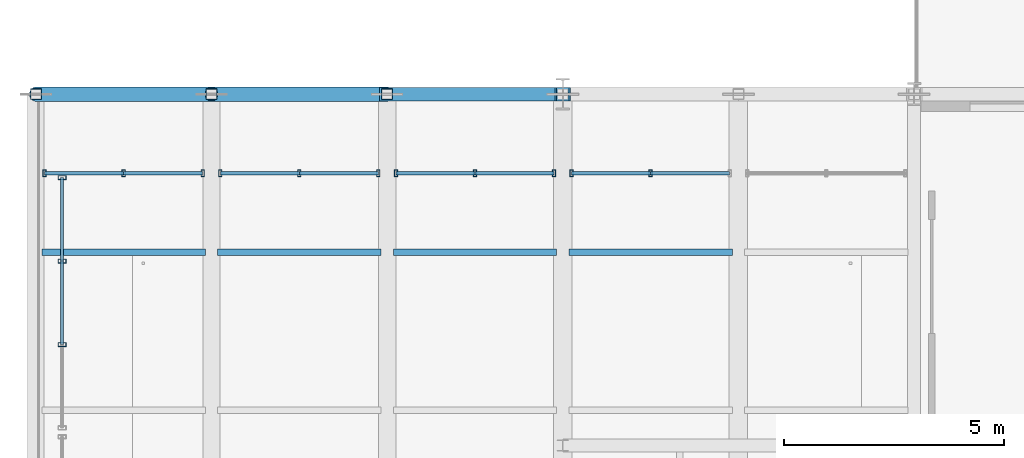
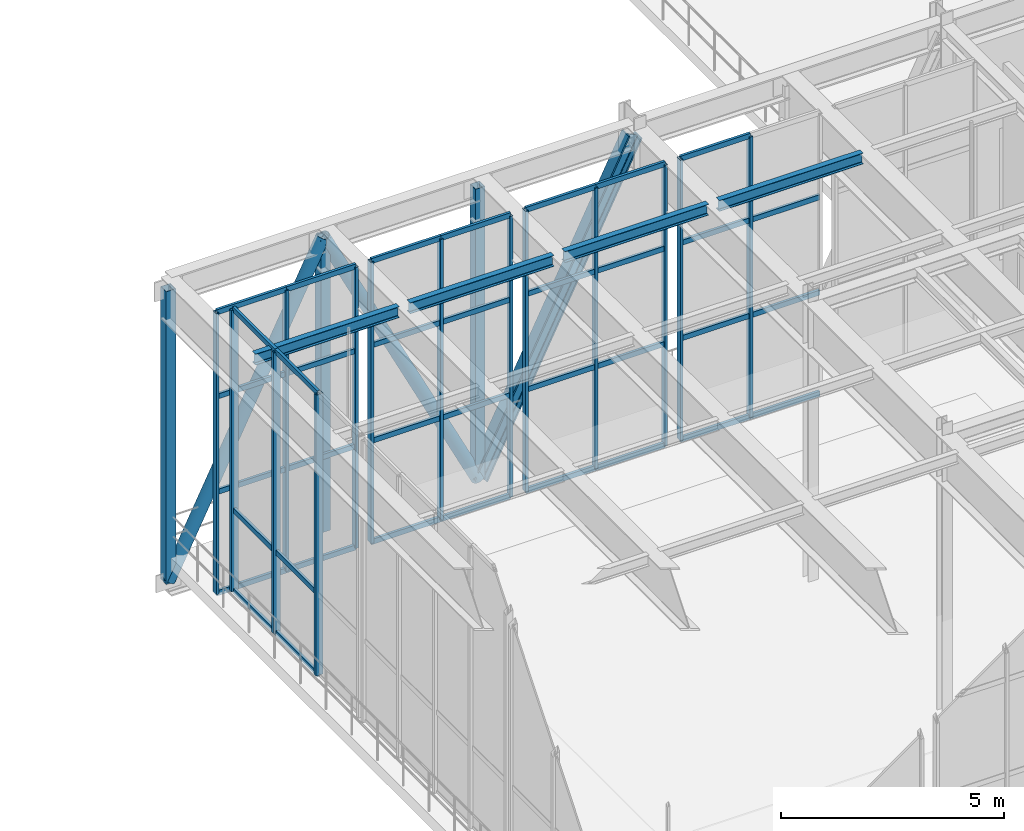
# One storey, part 32 of 138: 57 members, 4 beams, 5 elements without a shape of their own.
"""IFC4 building model written with IfcOpenShell, lengths in metres."""

from ifc_helpers import new_model, si_unit, direction, frame, origin, origin_2d, place, context, subcontext, project, spatial, hollow_rectangle, hollow_circle, i_section, extrude, material, material_profile, profile_set, type_object, element, aggregate, save


model = new_model("IFC4")

# Units and contexts
model_context = context("Model", 3, precision=1e-05, world=origin(), true_north=direction((0.0, 1.0)))
body_context = subcontext(model_context, "Body", "Model", "MODEL_VIEW")
ifc_project = project(units=[si_unit("LENGTHUNIT", "METRE"), si_unit("AREAUNIT", "SQUARE_METRE"), si_unit("VOLUMEUNIT", "CUBIC_METRE"), si_unit("PLANEANGLEUNIT", "RADIAN"), si_unit("MASSUNIT", "GRAM", prefix="KILO")], contexts=[model_context])

# Site, building, storey
site_placement = place(None, origin())
site = spatial("IfcSite", under=ifc_project, at=site_placement, CompositionType="ELEMENT")
building_placement = place(site_placement, origin())
building = spatial("IfcBuilding", under=site, at=building_placement, Name="Sundkrona Museum", CompositionType="ELEMENT")
storey_placement = place(building_placement, frame((0.0, 0.0, 9.60009765625)))
storey = spatial("IfcBuildingStorey", under=building, at=storey_placement, Name="L02", CompositionType="ELEMENT", Elevation=9.60009765625)

# Beams
ifc_material_1 = material(Name="Steel S355J2", Category="steel")
ifc_material_profile_1 = material_profile(ifc_material_1, i_section(OverallWidth=0.14990234375, OverallDepth=0.300048828125, WebThickness=0.007080078125, FlangeThickness=0.0107421875, FilletRadius=0.014892578125, at=origin_2d()), Name="IPE 300")
ifc_profile_set_1 = profile_set([ifc_material_profile_1], Name="Steel S355J2")
beam_type = type_object("IfcBeamType", Name="J-IPE300", PredefinedType="JOIST", material=ifc_profile_set_1)
for number, where, z_axis, x_axis, name in (
    (1, (4.139892578125, 50.39990234375, 7.52490234375), (1.0, 0.0, 0.0), (0.0, 1.0, 0.0), "L02 Cantilever Floor Joist"),
    (2, (8.139892578125, 50.39990234375, 7.52490234375), (1.0, 0.0, 0.0), (0.0, 1.0, 0.0), "L02 Cantilever Floor Joist"),
    (3, (12.139892578125, 50.39990234375, 7.52490234375), (1.0, 0.0, 0.0), (0.0, 1.0, 0.0), "L02 Cantilever Floor Joist"),
    (4, (16.139892578125, 50.39990234375, 7.52490234375), (1.0, 0.0, 0.0), (0.0, 1.0, 0.0), "L02 Cantilever Floor Joist"),
):
    element("IfcBeam", number, at=place(storey_placement, frame(where, z_axis=z_axis, x_axis=x_axis)), inside=storey, type_object=beam_type, Name=name, PredefinedType="JOIST", context=body_context, shape_type="SweptSolid", body=[
        extrude(i_section(OverallWidth=0.14990234375, OverallDepth=0.300048828125, WebThickness=0.007080078125, FlangeThickness=0.0107421875, FilletRadius=0.014892578125, at=origin_2d()), origin(), (0.0, 0.0, 1.0), 3.72021484375),
    ])

# Curtain wall, members
ifc_material_2 = material(Name="Unitised Aluminium-Steel and Ceramic-Clad Curtain Walling", Category="steel")
curtain_wall_type_1 = type_object("IfcCurtainWallType", Name="CW-CV-36x74", PredefinedType="NOTDEFINED", material=ifc_material_2)
curtain_wall_1_placement = place(storey_placement, origin())
curtain_wall_1 = element("IfcCurtainWall", 5, at=curtain_wall_1_placement, inside=storey, type_object=curtain_wall_type_1, Name="L02 Curtain Wall CW-L02-143", PredefinedType="NOTDEFINED")
ifc_material_3 = material(Name="Aluminium EN AW-6060 T66", Category="aluminium")
ifc_material_profile_2 = material_profile(ifc_material_3, hollow_rectangle(XDim=0.074951171875, YDim=0.14990234375, WallThickness=0.00634765625, at=origin_2d()), Name="RHS 150x75x6.3")
ifc_profile_set_2 = profile_set([ifc_material_profile_2], Name="Aluminium EN AW-6060 T66")
member_type_1 = type_object("IfcMemberType", Name="ML-150", PredefinedType="MULLION", material=ifc_profile_set_2)
member_1_placement = place(storey_placement, frame((4.199951171875, 52.199951171875, -0.004150390625), z_axis=(0.0, 0.0, 1.0), x_axis=(1.0, 0.0, 0.0)))
member_1 = element("IfcMember", 6, at=member_1_placement, type_object=member_type_1, Name="CW-L02-143 Mullion 01", PredefinedType="MULLION", context=body_context, shape_type="SweptSolid", body=[
    extrude(hollow_rectangle(XDim=0.074951171875, YDim=0.14990234375, WallThickness=0.00634765625, at=origin_2d()), origin(), (0.0, 0.0, 1.0), 7.68310546875),
])
member_2_placement = place(storey_placement, frame((6.0, 52.199951171875, -0.004150390625), z_axis=(0.0, 0.0, 1.0), x_axis=(1.0, 0.0, 0.0)))
member_2 = element("IfcMember", 7, at=member_2_placement, type_object=member_type_1, Name="CW-L02-143 Mullion 02", PredefinedType="MULLION", context=body_context, shape_type="SweptSolid", body=[
    extrude(hollow_rectangle(XDim=0.074951171875, YDim=0.14990234375, WallThickness=0.00634765625, at=origin_2d()), origin(), (0.0, 0.0, 1.0), 7.68310546875),
])
member_3_placement = place(storey_placement, frame((7.800048828125, 52.199951171875, -0.004150390625), z_axis=(0.0, 0.0, 1.0), x_axis=(1.0, 0.0, 0.0)))
member_3 = element("IfcMember", 8, at=member_3_placement, type_object=member_type_1, Name="CW-L02-143 Mullion 03", PredefinedType="MULLION", context=body_context, shape_type="SweptSolid", body=[
    extrude(hollow_rectangle(XDim=0.074951171875, YDim=0.14990234375, WallThickness=0.00634765625, at=origin_2d()), origin(), (0.0, 0.0, 1.0), 7.68310546875),
])

curtain_wall_2_placement = place(storey_placement, origin())
curtain_wall_2 = element("IfcCurtainWall", 9, at=curtain_wall_2_placement, inside=storey, type_object=curtain_wall_type_1, Name="L02 Curtain Wall CW-L02-145", PredefinedType="NOTDEFINED")
member_4_placement = place(storey_placement, frame((8.199951171875, 52.199951171875, -0.004150390625), z_axis=(0.0, 0.0, 1.0), x_axis=(1.0, 0.0, 0.0)))
member_4 = element("IfcMember", 10, at=member_4_placement, type_object=member_type_1, Name="CW-L02-145 Mullion 01", PredefinedType="MULLION", context=body_context, shape_type="SweptSolid", body=[
    extrude(hollow_rectangle(XDim=0.074951171875, YDim=0.14990234375, WallThickness=0.00634765625, at=origin_2d()), origin(), (0.0, 0.0, 1.0), 7.68310546875),
])
member_5_placement = place(storey_placement, frame((10.0, 52.199951171875, -0.004150390625), z_axis=(0.0, 0.0, 1.0), x_axis=(1.0, 0.0, 0.0)))
member_5 = element("IfcMember", 11, at=member_5_placement, type_object=member_type_1, Name="CW-L02-145 Mullion 02", PredefinedType="MULLION", context=body_context, shape_type="SweptSolid", body=[
    extrude(hollow_rectangle(XDim=0.074951171875, YDim=0.14990234375, WallThickness=0.00634765625, at=origin_2d()), origin(), (0.0, 0.0, 1.0), 7.68310546875),
])
member_6_placement = place(storey_placement, frame((11.800048828125, 52.199951171875, -0.004150390625), z_axis=(0.0, 0.0, 1.0), x_axis=(1.0, 0.0, 0.0)))
member_6 = element("IfcMember", 12, at=member_6_placement, type_object=member_type_1, Name="CW-L02-145 Mullion 03", PredefinedType="MULLION", context=body_context, shape_type="SweptSolid", body=[
    extrude(hollow_rectangle(XDim=0.074951171875, YDim=0.14990234375, WallThickness=0.00634765625, at=origin_2d()), origin(), (0.0, 0.0, 1.0), 7.68310546875),
])

curtain_wall_3_placement = place(storey_placement, origin())
curtain_wall_3 = element("IfcCurtainWall", 13, at=curtain_wall_3_placement, inside=storey, type_object=curtain_wall_type_1, Name="L02 Curtain Wall CW-L02-147", PredefinedType="NOTDEFINED")
member_7_placement = place(storey_placement, frame((12.199951171875, 52.199951171875, -0.004150390625), z_axis=(0.0, 0.0, 1.0), x_axis=(1.0, 0.0, 0.0)))
member_7 = element("IfcMember", 14, at=member_7_placement, type_object=member_type_1, Name="CW-L02-147 Mullion 01", PredefinedType="MULLION", context=body_context, shape_type="SweptSolid", body=[
    extrude(hollow_rectangle(XDim=0.074951171875, YDim=0.14990234375, WallThickness=0.00634765625, at=origin_2d()), origin(), (0.0, 0.0, 1.0), 7.68310546875),
])
member_8_placement = place(storey_placement, frame((14.0, 52.199951171875, -0.004150390625), z_axis=(0.0, 0.0, 1.0), x_axis=(1.0, 0.0, 0.0)))
member_8 = element("IfcMember", 15, at=member_8_placement, type_object=member_type_1, Name="CW-L02-147 Mullion 02", PredefinedType="MULLION", context=body_context, shape_type="SweptSolid", body=[
    extrude(hollow_rectangle(XDim=0.074951171875, YDim=0.14990234375, WallThickness=0.00634765625, at=origin_2d()), origin(), (0.0, 0.0, 1.0), 7.68310546875),
])
member_9_placement = place(storey_placement, frame((15.800048828125, 52.199951171875, -0.004150390625), z_axis=(0.0, 0.0, 1.0), x_axis=(1.0, 0.0, 0.0)))
member_9 = element("IfcMember", 16, at=member_9_placement, type_object=member_type_1, Name="CW-L02-147 Mullion 03", PredefinedType="MULLION", context=body_context, shape_type="SweptSolid", body=[
    extrude(hollow_rectangle(XDim=0.074951171875, YDim=0.14990234375, WallThickness=0.00634765625, at=origin_2d()), origin(), (0.0, 0.0, 1.0), 7.68310546875),
])

curtain_wall_4_placement = place(storey_placement, origin())
curtain_wall_4 = element("IfcCurtainWall", 17, at=curtain_wall_4_placement, inside=storey, type_object=curtain_wall_type_1, Name="L02 Curtain Wall CW-L02-149", PredefinedType="NOTDEFINED")
member_10_placement = place(storey_placement, frame((16.199951171875, 52.199951171875, -0.004150390625), z_axis=(0.0, 0.0, 1.0), x_axis=(1.0, 0.0, 0.0)))
member_10 = element("IfcMember", 18, at=member_10_placement, type_object=member_type_1, Name="CW-L02-149 Mullion 01", PredefinedType="MULLION", context=body_context, shape_type="SweptSolid", body=[
    extrude(hollow_rectangle(XDim=0.074951171875, YDim=0.14990234375, WallThickness=0.00634765625, at=origin_2d()), origin(), (0.0, 0.0, 1.0), 7.68310546875),
])
member_11_placement = place(storey_placement, frame((18.0, 52.199951171875, -0.004150390625), z_axis=(0.0, 0.0, 1.0), x_axis=(1.0, 0.0, 0.0)))
member_11 = element("IfcMember", 19, at=member_11_placement, type_object=member_type_1, Name="CW-L02-149 Mullion 02", PredefinedType="MULLION", context=body_context, shape_type="SweptSolid", body=[
    extrude(hollow_rectangle(XDim=0.074951171875, YDim=0.14990234375, WallThickness=0.00634765625, at=origin_2d()), origin(), (0.0, 0.0, 1.0), 7.68310546875),
])

curtain_wall_type_2 = type_object("IfcCurtainWallType", Name="CW-CV-68x74", PredefinedType="NOTDEFINED", material=ifc_material_2)
curtain_wall_5_placement = place(storey_placement, origin())
curtain_wall_5 = element("IfcCurtainWall", 20, at=curtain_wall_5_placement, inside=storey, type_object=curtain_wall_type_2, Name="L02 Curtain Wall CW-CV-TIP-L02-46", PredefinedType="NOTDEFINED")
ifc_material_profile_3 = material_profile(ifc_material_3, hollow_rectangle(XDim=0.090087890625, YDim=0.179931640625, WallThickness=0.00634765625, at=origin_2d()), Name="RHS 180x90x6.3")
ifc_profile_set_3 = profile_set([ifc_material_profile_3], Name="Aluminium EN AW-6060 T66")
member_type_2 = type_object("IfcMemberType", Name="ML-180", PredefinedType="MULLION", material=ifc_profile_set_3)
member_12_placement = place(storey_placement, frame((4.60009765625, 48.300048828125, -0.004150390625), z_axis=(0.0, 0.0, 1.0), x_axis=(0.0, 1.0, 0.0)))
member_12 = element("IfcMember", 21, at=member_12_placement, type_object=member_type_2, Name="CW-CV-TIP-L02-46 Mullion 02", PredefinedType="MULLION", context=body_context, shape_type="SweptSolid", body=[
    extrude(hollow_rectangle(XDim=0.090087890625, YDim=0.179931640625, WallThickness=0.00634765625, at=origin_2d()), origin(), (0.0, 0.0, 1.0), 7.68310546875),
])
member_13_placement = place(storey_placement, frame((4.60009765625, 50.199951171875, -0.004150390625), z_axis=(0.0, 0.0, 1.0), x_axis=(0.0, 1.0, 0.0)))
member_13 = element("IfcMember", 22, at=member_13_placement, type_object=member_type_2, Name="CW-CV-TIP-L02-46 Mullion 03", PredefinedType="MULLION", context=body_context, shape_type="SweptSolid", body=[
    extrude(hollow_rectangle(XDim=0.090087890625, YDim=0.179931640625, WallThickness=0.00634765625, at=origin_2d()), origin(), (0.0, 0.0, 1.0), 7.68310546875),
])
member_14_placement = place(storey_placement, frame((4.60009765625, 52.10009765625, -0.004150390625), z_axis=(0.0, 0.0, 1.0), x_axis=(0.0, 1.0, 0.0)))
member_14 = element("IfcMember", 23, at=member_14_placement, type_object=member_type_2, Name="CW-CV-TIP-L02-46 Mullion 04", PredefinedType="MULLION", context=body_context, shape_type="SweptSolid", body=[
    extrude(hollow_rectangle(XDim=0.090087890625, YDim=0.179931640625, WallThickness=0.00634765625, at=origin_2d()), origin(), (0.0, 0.0, 1.0), 7.68310546875),
])

# Members
ifc_material_4 = material(Name="Steel S460M", Category="steel")
ifc_material_profile_4 = material_profile(ifc_material_4, hollow_circle(Radius=0.161865234375, WallThickness=0.01611328125, at=origin_2d()), Name="CHS 323.9x16.0")
ifc_profile_set_4 = profile_set([ifc_material_profile_4], Name="Steel S460M")
member_type_3 = type_object("IfcMemberType", Name="ST-CHS324", PredefinedType="STRUT", material=ifc_profile_set_4)
for number, where, z_axis, x_axis, name in (
    (24, (4.0, 54.0, -0.68017578125), (0.4472135955, 0.0, 0.894427191), (0.0, 1.0, 0.0), "TRS-1 Cantilever Transfer Truss N Web Diagonal 1"),
    (25, (8.0, 54.0, 7.31982421875), (0.4472135955, 0.0, -0.894427191), (0.0, 1.0, 0.0), "TRS-1 Cantilever Transfer Truss N Web Diagonal 2"),
):
    element("IfcMember", number, at=place(storey_placement, frame(where, z_axis=z_axis, x_axis=x_axis)), inside=storey, type_object=member_type_3, Name=name, PredefinedType="STRUT", context=body_context, shape_type="SweptSolid", body=[
        extrude(hollow_circle(Radius=0.161865234375, WallThickness=0.01611328125, at=origin_2d()), origin(), (0.0, 0.0, 1.0), 8.9443359375),
    ])
ifc_material_profile_5 = material_profile(ifc_material_4, i_section(OverallWidth=0.30810546875, OverallDepth=0.39501953125, WebThickness=0.02099609375, FlangeThickness=0.0400390625, FilletRadius=0.027099609375, at=origin_2d()), Name="HEM 360")
ifc_profile_set_5 = profile_set([ifc_material_profile_5], Name="Steel S460M")
member_type_4 = type_object("IfcMemberType", Name="ST-HEM360", PredefinedType="STRUT", material=ifc_profile_set_5)
member_15_placement = place(storey_placement, frame((12.0, 54.0, -0.68017578125), z_axis=(0.4472135955, 0.0, 0.894427191), x_axis=(0.0, 1.0, 0.0)))
element("IfcMember", 26, at=member_15_placement, inside=storey, type_object=member_type_4, Name="TRS-1 Cantilever Transfer Truss N Web Diagonal 3", PredefinedType="STRUT", context=body_context, shape_type="SweptSolid", body=[
    extrude(i_section(OverallWidth=0.30810546875, OverallDepth=0.39501953125, WebThickness=0.02099609375, FlangeThickness=0.0400390625, FilletRadius=0.027099609375, at=origin_2d()), origin(), (0.0, 0.0, 1.0), 8.9443359375),
])
ifc_material_profile_6 = material_profile(ifc_material_4, hollow_rectangle(XDim=0.25, YDim=0.25, WallThickness=0.012451171875, at=origin_2d()), Name="SHS 250x250x12.5")
ifc_profile_set_6 = profile_set([ifc_material_profile_6], Name="Steel S460M")
member_type_5 = type_object("IfcMemberType", Name="ST-SHS250", PredefinedType="STRUT", material=ifc_profile_set_6)
for number, where, z_axis, x_axis, name in (
    (27, (4.0, 54.0, -0.68017578125), (0.0, 0.0, 1.0), (1.0, 0.0, 0.0), "TRS-1 Cantilever Transfer Truss N Vertical Post 1"),
    (28, (8.0, 54.0, -0.68017578125), (0.0, 0.0, 1.0), (1.0, 0.0, 0.0), "TRS-1 Cantilever Transfer Truss N Vertical Post 2"),
    (29, (12.0, 54.0, -0.68017578125), (0.0, 0.0, 1.0), (1.0, 0.0, 0.0), "TRS-1 Cantilever Transfer Truss N Vertical Post 3"),
):
    element("IfcMember", number, at=place(storey_placement, frame(where, z_axis=z_axis, x_axis=x_axis)), inside=storey, type_object=member_type_5, Name=name, PredefinedType="STRUT", context=body_context, shape_type="SweptSolid", body=[
        extrude(hollow_rectangle(XDim=0.25, YDim=0.25, WallThickness=0.012451171875, at=origin_2d()), origin(), (0.0, 0.0, 1.0), 8.0),
    ])

# Member
ifc_material_profile_7 = material_profile(ifc_material_3, hollow_rectangle(XDim=0.070068359375, YDim=0.139892578125, WallThickness=0.0048828125, at=origin_2d()), Name="RHS 140x70x5.0")
ifc_profile_set_7 = profile_set([ifc_material_profile_7], Name="Aluminium EN AW-6060 T66")
member_type_6 = type_object("IfcMemberType", Name="TR-140", PredefinedType="USERDEFINED", material=ifc_profile_set_7)
member_16_placement = place(storey_placement, frame((4.199951171875, 52.199951171875, -0.004150390625), z_axis=(1.0, 0.0, 0.0), x_axis=(0.0, 1.0, 0.0)))
member_16 = element("IfcMember", 30, at=member_16_placement, type_object=member_type_6, Name="CW-L02-143 Transom 01", ObjectType="TRANSOM", PredefinedType="USERDEFINED", context=body_context, shape_type="SweptSolid", body=[
    extrude(hollow_rectangle(XDim=0.070068359375, YDim=0.139892578125, WallThickness=0.0048828125, at=origin_2d()), origin(), (0.0, 0.0, 1.0), 1.800048828125),
])

member_17_placement = place(storey_placement, frame((4.199951171875, 52.199951171875, 2.762939453125), z_axis=(1.0, 0.0, 0.0), x_axis=(0.0, 1.0, 0.0)))
member_17 = element("IfcMember", 31, at=member_17_placement, type_object=member_type_6, Name="CW-L02-143 Transom 02", ObjectType="TRANSOM", PredefinedType="USERDEFINED", context=body_context, shape_type="SweptSolid", body=[
    extrude(hollow_rectangle(XDim=0.070068359375, YDim=0.139892578125, WallThickness=0.0048828125, at=origin_2d()), origin(), (0.0, 0.0, 1.0), 1.800048828125),
])

member_18_placement = place(storey_placement, frame((4.199951171875, 52.199951171875, 5.371826171875), z_axis=(1.0, 0.0, 0.0), x_axis=(0.0, 1.0, 0.0)))
member_18 = element("IfcMember", 32, at=member_18_placement, type_object=member_type_6, Name="CW-L02-143 Transom 03", ObjectType="TRANSOM", PredefinedType="USERDEFINED", context=body_context, shape_type="SweptSolid", body=[
    extrude(hollow_rectangle(XDim=0.070068359375, YDim=0.139892578125, WallThickness=0.0048828125, at=origin_2d()), origin(), (0.0, 0.0, 1.0), 1.800048828125),
])

member_19_placement = place(storey_placement, frame((4.199951171875, 52.199951171875, 7.678955078125), z_axis=(1.0, 0.0, 0.0), x_axis=(0.0, 1.0, 0.0)))
member_19 = element("IfcMember", 33, at=member_19_placement, type_object=member_type_6, Name="CW-L02-143 Transom 04", ObjectType="TRANSOM", PredefinedType="USERDEFINED", context=body_context, shape_type="SweptSolid", body=[
    extrude(hollow_rectangle(XDim=0.070068359375, YDim=0.139892578125, WallThickness=0.0048828125, at=origin_2d()), origin(), (0.0, 0.0, 1.0), 1.800048828125),
])

member_20_placement = place(storey_placement, frame((6.0, 52.199951171875, -0.004150390625), z_axis=(1.0, 0.0, 0.0), x_axis=(0.0, 1.0, 0.0)))
member_20 = element("IfcMember", 34, at=member_20_placement, type_object=member_type_6, Name="CW-L02-143 Transom 05", ObjectType="TRANSOM", PredefinedType="USERDEFINED", context=body_context, shape_type="SweptSolid", body=[
    extrude(hollow_rectangle(XDim=0.070068359375, YDim=0.139892578125, WallThickness=0.0048828125, at=origin_2d()), origin(), (0.0, 0.0, 1.0), 1.800048828125),
])

member_21_placement = place(storey_placement, frame((6.0, 52.199951171875, 2.762939453125), z_axis=(1.0, 0.0, 0.0), x_axis=(0.0, 1.0, 0.0)))
member_21 = element("IfcMember", 35, at=member_21_placement, type_object=member_type_6, Name="CW-L02-143 Transom 06", ObjectType="TRANSOM", PredefinedType="USERDEFINED", context=body_context, shape_type="SweptSolid", body=[
    extrude(hollow_rectangle(XDim=0.070068359375, YDim=0.139892578125, WallThickness=0.0048828125, at=origin_2d()), origin(), (0.0, 0.0, 1.0), 1.800048828125),
])

member_22_placement = place(storey_placement, frame((6.0, 52.199951171875, 5.371826171875), z_axis=(1.0, 0.0, 0.0), x_axis=(0.0, 1.0, 0.0)))
member_22 = element("IfcMember", 36, at=member_22_placement, type_object=member_type_6, Name="CW-L02-143 Transom 07", ObjectType="TRANSOM", PredefinedType="USERDEFINED", context=body_context, shape_type="SweptSolid", body=[
    extrude(hollow_rectangle(XDim=0.070068359375, YDim=0.139892578125, WallThickness=0.0048828125, at=origin_2d()), origin(), (0.0, 0.0, 1.0), 1.800048828125),
])

member_23_placement = place(storey_placement, frame((6.0, 52.199951171875, 7.678955078125), z_axis=(1.0, 0.0, 0.0), x_axis=(0.0, 1.0, 0.0)))
member_23 = element("IfcMember", 37, at=member_23_placement, type_object=member_type_6, Name="CW-L02-143 Transom 08", ObjectType="TRANSOM", PredefinedType="USERDEFINED", context=body_context, shape_type="SweptSolid", body=[
    extrude(hollow_rectangle(XDim=0.070068359375, YDim=0.139892578125, WallThickness=0.0048828125, at=origin_2d()), origin(), (0.0, 0.0, 1.0), 1.800048828125),
])

aggregate(curtain_wall_1, [member_1, member_2, member_3, member_16, member_17, member_18, member_19, member_20, member_21, member_22, member_23])

member_24_placement = place(storey_placement, frame((8.199951171875, 52.199951171875, -0.004150390625), z_axis=(1.0, 0.0, 0.0), x_axis=(0.0, 1.0, 0.0)))
member_24 = element("IfcMember", 38, at=member_24_placement, type_object=member_type_6, Name="CW-L02-145 Transom 01", ObjectType="TRANSOM", PredefinedType="USERDEFINED", context=body_context, shape_type="SweptSolid", body=[
    extrude(hollow_rectangle(XDim=0.070068359375, YDim=0.139892578125, WallThickness=0.0048828125, at=origin_2d()), origin(), (0.0, 0.0, 1.0), 1.800048828125),
])

member_25_placement = place(storey_placement, frame((8.199951171875, 52.199951171875, 2.762939453125), z_axis=(1.0, 0.0, 0.0), x_axis=(0.0, 1.0, 0.0)))
member_25 = element("IfcMember", 39, at=member_25_placement, type_object=member_type_6, Name="CW-L02-145 Transom 02", ObjectType="TRANSOM", PredefinedType="USERDEFINED", context=body_context, shape_type="SweptSolid", body=[
    extrude(hollow_rectangle(XDim=0.070068359375, YDim=0.139892578125, WallThickness=0.0048828125, at=origin_2d()), origin(), (0.0, 0.0, 1.0), 1.800048828125),
])

member_26_placement = place(storey_placement, frame((8.199951171875, 52.199951171875, 5.371826171875), z_axis=(1.0, 0.0, 0.0), x_axis=(0.0, 1.0, 0.0)))
member_26 = element("IfcMember", 40, at=member_26_placement, type_object=member_type_6, Name="CW-L02-145 Transom 03", ObjectType="TRANSOM", PredefinedType="USERDEFINED", context=body_context, shape_type="SweptSolid", body=[
    extrude(hollow_rectangle(XDim=0.070068359375, YDim=0.139892578125, WallThickness=0.0048828125, at=origin_2d()), origin(), (0.0, 0.0, 1.0), 1.800048828125),
])

member_27_placement = place(storey_placement, frame((8.199951171875, 52.199951171875, 7.678955078125), z_axis=(1.0, 0.0, 0.0), x_axis=(0.0, 1.0, 0.0)))
member_27 = element("IfcMember", 41, at=member_27_placement, type_object=member_type_6, Name="CW-L02-145 Transom 04", ObjectType="TRANSOM", PredefinedType="USERDEFINED", context=body_context, shape_type="SweptSolid", body=[
    extrude(hollow_rectangle(XDim=0.070068359375, YDim=0.139892578125, WallThickness=0.0048828125, at=origin_2d()), origin(), (0.0, 0.0, 1.0), 1.800048828125),
])

member_28_placement = place(storey_placement, frame((10.0, 52.199951171875, -0.004150390625), z_axis=(1.0, 0.0, 0.0), x_axis=(0.0, 1.0, 0.0)))
member_28 = element("IfcMember", 42, at=member_28_placement, type_object=member_type_6, Name="CW-L02-145 Transom 05", ObjectType="TRANSOM", PredefinedType="USERDEFINED", context=body_context, shape_type="SweptSolid", body=[
    extrude(hollow_rectangle(XDim=0.070068359375, YDim=0.139892578125, WallThickness=0.0048828125, at=origin_2d()), origin(), (0.0, 0.0, 1.0), 1.800048828125),
])

member_29_placement = place(storey_placement, frame((10.0, 52.199951171875, 2.762939453125), z_axis=(1.0, 0.0, 0.0), x_axis=(0.0, 1.0, 0.0)))
member_29 = element("IfcMember", 43, at=member_29_placement, type_object=member_type_6, Name="CW-L02-145 Transom 06", ObjectType="TRANSOM", PredefinedType="USERDEFINED", context=body_context, shape_type="SweptSolid", body=[
    extrude(hollow_rectangle(XDim=0.070068359375, YDim=0.139892578125, WallThickness=0.0048828125, at=origin_2d()), origin(), (0.0, 0.0, 1.0), 1.800048828125),
])

member_30_placement = place(storey_placement, frame((10.0, 52.199951171875, 5.371826171875), z_axis=(1.0, 0.0, 0.0), x_axis=(0.0, 1.0, 0.0)))
member_30 = element("IfcMember", 44, at=member_30_placement, type_object=member_type_6, Name="CW-L02-145 Transom 07", ObjectType="TRANSOM", PredefinedType="USERDEFINED", context=body_context, shape_type="SweptSolid", body=[
    extrude(hollow_rectangle(XDim=0.070068359375, YDim=0.139892578125, WallThickness=0.0048828125, at=origin_2d()), origin(), (0.0, 0.0, 1.0), 1.800048828125),
])

member_31_placement = place(storey_placement, frame((10.0, 52.199951171875, 7.678955078125), z_axis=(1.0, 0.0, 0.0), x_axis=(0.0, 1.0, 0.0)))
member_31 = element("IfcMember", 45, at=member_31_placement, type_object=member_type_6, Name="CW-L02-145 Transom 08", ObjectType="TRANSOM", PredefinedType="USERDEFINED", context=body_context, shape_type="SweptSolid", body=[
    extrude(hollow_rectangle(XDim=0.070068359375, YDim=0.139892578125, WallThickness=0.0048828125, at=origin_2d()), origin(), (0.0, 0.0, 1.0), 1.800048828125),
])

aggregate(curtain_wall_2, [member_4, member_5, member_6, member_24, member_25, member_26, member_27, member_28, member_29, member_30, member_31])

member_32_placement = place(storey_placement, frame((12.199951171875, 52.199951171875, -0.004150390625), z_axis=(1.0, 0.0, 0.0), x_axis=(0.0, 1.0, 0.0)))
member_32 = element("IfcMember", 46, at=member_32_placement, type_object=member_type_6, Name="CW-L02-147 Transom 01", ObjectType="TRANSOM", PredefinedType="USERDEFINED", context=body_context, shape_type="SweptSolid", body=[
    extrude(hollow_rectangle(XDim=0.070068359375, YDim=0.139892578125, WallThickness=0.0048828125, at=origin_2d()), origin(), (0.0, 0.0, 1.0), 1.800048828125),
])

member_33_placement = place(storey_placement, frame((12.199951171875, 52.199951171875, 2.762939453125), z_axis=(1.0, 0.0, 0.0), x_axis=(0.0, 1.0, 0.0)))
member_33 = element("IfcMember", 47, at=member_33_placement, type_object=member_type_6, Name="CW-L02-147 Transom 02", ObjectType="TRANSOM", PredefinedType="USERDEFINED", context=body_context, shape_type="SweptSolid", body=[
    extrude(hollow_rectangle(XDim=0.070068359375, YDim=0.139892578125, WallThickness=0.0048828125, at=origin_2d()), origin(), (0.0, 0.0, 1.0), 1.800048828125),
])

member_34_placement = place(storey_placement, frame((12.199951171875, 52.199951171875, 5.371826171875), z_axis=(1.0, 0.0, 0.0), x_axis=(0.0, 1.0, 0.0)))
member_34 = element("IfcMember", 48, at=member_34_placement, type_object=member_type_6, Name="CW-L02-147 Transom 03", ObjectType="TRANSOM", PredefinedType="USERDEFINED", context=body_context, shape_type="SweptSolid", body=[
    extrude(hollow_rectangle(XDim=0.070068359375, YDim=0.139892578125, WallThickness=0.0048828125, at=origin_2d()), origin(), (0.0, 0.0, 1.0), 1.800048828125),
])

member_35_placement = place(storey_placement, frame((12.199951171875, 52.199951171875, 7.678955078125), z_axis=(1.0, 0.0, 0.0), x_axis=(0.0, 1.0, 0.0)))
member_35 = element("IfcMember", 49, at=member_35_placement, type_object=member_type_6, Name="CW-L02-147 Transom 04", ObjectType="TRANSOM", PredefinedType="USERDEFINED", context=body_context, shape_type="SweptSolid", body=[
    extrude(hollow_rectangle(XDim=0.070068359375, YDim=0.139892578125, WallThickness=0.0048828125, at=origin_2d()), origin(), (0.0, 0.0, 1.0), 1.800048828125),
])

member_36_placement = place(storey_placement, frame((14.0, 52.199951171875, -0.004150390625), z_axis=(1.0, 0.0, 0.0), x_axis=(0.0, 1.0, 0.0)))
member_36 = element("IfcMember", 50, at=member_36_placement, type_object=member_type_6, Name="CW-L02-147 Transom 05", ObjectType="TRANSOM", PredefinedType="USERDEFINED", context=body_context, shape_type="SweptSolid", body=[
    extrude(hollow_rectangle(XDim=0.070068359375, YDim=0.139892578125, WallThickness=0.0048828125, at=origin_2d()), origin(), (0.0, 0.0, 1.0), 1.800048828125),
])

member_37_placement = place(storey_placement, frame((14.0, 52.199951171875, 2.762939453125), z_axis=(1.0, 0.0, 0.0), x_axis=(0.0, 1.0, 0.0)))
member_37 = element("IfcMember", 51, at=member_37_placement, type_object=member_type_6, Name="CW-L02-147 Transom 06", ObjectType="TRANSOM", PredefinedType="USERDEFINED", context=body_context, shape_type="SweptSolid", body=[
    extrude(hollow_rectangle(XDim=0.070068359375, YDim=0.139892578125, WallThickness=0.0048828125, at=origin_2d()), origin(), (0.0, 0.0, 1.0), 1.800048828125),
])

member_38_placement = place(storey_placement, frame((14.0, 52.199951171875, 5.371826171875), z_axis=(1.0, 0.0, 0.0), x_axis=(0.0, 1.0, 0.0)))
member_38 = element("IfcMember", 52, at=member_38_placement, type_object=member_type_6, Name="CW-L02-147 Transom 07", ObjectType="TRANSOM", PredefinedType="USERDEFINED", context=body_context, shape_type="SweptSolid", body=[
    extrude(hollow_rectangle(XDim=0.070068359375, YDim=0.139892578125, WallThickness=0.0048828125, at=origin_2d()), origin(), (0.0, 0.0, 1.0), 1.800048828125),
])

member_39_placement = place(storey_placement, frame((14.0, 52.199951171875, 7.678955078125), z_axis=(1.0, 0.0, 0.0), x_axis=(0.0, 1.0, 0.0)))
member_39 = element("IfcMember", 53, at=member_39_placement, type_object=member_type_6, Name="CW-L02-147 Transom 08", ObjectType="TRANSOM", PredefinedType="USERDEFINED", context=body_context, shape_type="SweptSolid", body=[
    extrude(hollow_rectangle(XDim=0.070068359375, YDim=0.139892578125, WallThickness=0.0048828125, at=origin_2d()), origin(), (0.0, 0.0, 1.0), 1.800048828125),
])

aggregate(curtain_wall_3, [member_7, member_8, member_9, member_32, member_33, member_34, member_35, member_36, member_37, member_38, member_39])

member_40_placement = place(storey_placement, frame((16.199951171875, 52.199951171875, -0.004150390625), z_axis=(1.0, 0.0, 0.0), x_axis=(0.0, 1.0, 0.0)))
member_40 = element("IfcMember", 54, at=member_40_placement, type_object=member_type_6, Name="CW-L02-149 Transom 01", ObjectType="TRANSOM", PredefinedType="USERDEFINED", context=body_context, shape_type="SweptSolid", body=[
    extrude(hollow_rectangle(XDim=0.070068359375, YDim=0.139892578125, WallThickness=0.0048828125, at=origin_2d()), origin(), (0.0, 0.0, 1.0), 1.800048828125),
])

member_41_placement = place(storey_placement, frame((16.199951171875, 52.199951171875, 2.762939453125), z_axis=(1.0, 0.0, 0.0), x_axis=(0.0, 1.0, 0.0)))
member_41 = element("IfcMember", 55, at=member_41_placement, type_object=member_type_6, Name="CW-L02-149 Transom 02", ObjectType="TRANSOM", PredefinedType="USERDEFINED", context=body_context, shape_type="SweptSolid", body=[
    extrude(hollow_rectangle(XDim=0.070068359375, YDim=0.139892578125, WallThickness=0.0048828125, at=origin_2d()), origin(), (0.0, 0.0, 1.0), 1.800048828125),
])

member_42_placement = place(storey_placement, frame((16.199951171875, 52.199951171875, 5.371826171875), z_axis=(1.0, 0.0, 0.0), x_axis=(0.0, 1.0, 0.0)))
member_42 = element("IfcMember", 56, at=member_42_placement, type_object=member_type_6, Name="CW-L02-149 Transom 03", ObjectType="TRANSOM", PredefinedType="USERDEFINED", context=body_context, shape_type="SweptSolid", body=[
    extrude(hollow_rectangle(XDim=0.070068359375, YDim=0.139892578125, WallThickness=0.0048828125, at=origin_2d()), origin(), (0.0, 0.0, 1.0), 1.800048828125),
])

member_43_placement = place(storey_placement, frame((16.199951171875, 52.199951171875, 7.678955078125), z_axis=(1.0, 0.0, 0.0), x_axis=(0.0, 1.0, 0.0)))
member_43 = element("IfcMember", 57, at=member_43_placement, type_object=member_type_6, Name="CW-L02-149 Transom 04", ObjectType="TRANSOM", PredefinedType="USERDEFINED", context=body_context, shape_type="SweptSolid", body=[
    extrude(hollow_rectangle(XDim=0.070068359375, YDim=0.139892578125, WallThickness=0.0048828125, at=origin_2d()), origin(), (0.0, 0.0, 1.0), 1.800048828125),
])

member_44_placement = place(storey_placement, frame((18.0, 52.199951171875, -0.004150390625), z_axis=(1.0, 0.0, 0.0), x_axis=(0.0, 1.0, 0.0)))
member_44 = element("IfcMember", 58, at=member_44_placement, type_object=member_type_6, Name="CW-L02-149 Transom 05", ObjectType="TRANSOM", PredefinedType="USERDEFINED", context=body_context, shape_type="SweptSolid", body=[
    extrude(hollow_rectangle(XDim=0.070068359375, YDim=0.139892578125, WallThickness=0.0048828125, at=origin_2d()), origin(), (0.0, 0.0, 1.0), 1.800048828125),
])

member_45_placement = place(storey_placement, frame((18.0, 52.199951171875, 2.762939453125), z_axis=(1.0, 0.0, 0.0), x_axis=(0.0, 1.0, 0.0)))
member_45 = element("IfcMember", 59, at=member_45_placement, type_object=member_type_6, Name="CW-L02-149 Transom 06", ObjectType="TRANSOM", PredefinedType="USERDEFINED", context=body_context, shape_type="SweptSolid", body=[
    extrude(hollow_rectangle(XDim=0.070068359375, YDim=0.139892578125, WallThickness=0.0048828125, at=origin_2d()), origin(), (0.0, 0.0, 1.0), 1.800048828125),
])

member_46_placement = place(storey_placement, frame((18.0, 52.199951171875, 5.371826171875), z_axis=(1.0, 0.0, 0.0), x_axis=(0.0, 1.0, 0.0)))
member_46 = element("IfcMember", 60, at=member_46_placement, type_object=member_type_6, Name="CW-L02-149 Transom 07", ObjectType="TRANSOM", PredefinedType="USERDEFINED", context=body_context, shape_type="SweptSolid", body=[
    extrude(hollow_rectangle(XDim=0.070068359375, YDim=0.139892578125, WallThickness=0.0048828125, at=origin_2d()), origin(), (0.0, 0.0, 1.0), 1.800048828125),
])

aggregate(curtain_wall_4, [member_10, member_11, member_40, member_41, member_42, member_43, member_44, member_45, member_46])

member_47_placement = place(storey_placement, frame((4.60009765625, 48.300048828125, -0.004150390625), z_axis=(0.0, 1.0, 0.0), x_axis=(-1.0, 0.0, 0.0)))
member_47 = element("IfcMember", 61, at=member_47_placement, type_object=member_type_6, Name="CW-CV-TIP-L02-46 Transom 04", ObjectType="TRANSOM", PredefinedType="USERDEFINED", context=body_context, shape_type="SweptSolid", body=[
    extrude(hollow_rectangle(XDim=0.070068359375, YDim=0.139892578125, WallThickness=0.0048828125, at=origin_2d()), origin(), (0.0, 0.0, 1.0), 1.89990234375),
])

member_48_placement = place(storey_placement, frame((4.60009765625, 48.300048828125, 2.199951171875), z_axis=(0.0, 1.0, 0.0), x_axis=(-1.0, 0.0, 0.0)))
member_48 = element("IfcMember", 62, at=member_48_placement, type_object=member_type_6, Name="CW-CV-TIP-L02-46 Transom 05", ObjectType="TRANSOM", PredefinedType="USERDEFINED", context=body_context, shape_type="SweptSolid", body=[
    extrude(hollow_rectangle(XDim=0.070068359375, YDim=0.139892578125, WallThickness=0.0048828125, at=origin_2d()), origin(), (0.0, 0.0, 1.0), 1.89990234375),
])

member_49_placement = place(storey_placement, frame((4.60009765625, 48.300048828125, 7.678955078125), z_axis=(0.0, 1.0, 0.0), x_axis=(-1.0, 0.0, 0.0)))
member_49 = element("IfcMember", 63, at=member_49_placement, type_object=member_type_6, Name="CW-CV-TIP-L02-46 Transom 06", ObjectType="TRANSOM", PredefinedType="USERDEFINED", context=body_context, shape_type="SweptSolid", body=[
    extrude(hollow_rectangle(XDim=0.070068359375, YDim=0.139892578125, WallThickness=0.0048828125, at=origin_2d()), origin(), (0.0, 0.0, 1.0), 1.89990234375),
])

member_50_placement = place(storey_placement, frame((4.60009765625, 50.199951171875, -0.004150390625), z_axis=(0.0, 1.0, 0.0), x_axis=(-1.0, 0.0, 0.0)))
member_50 = element("IfcMember", 64, at=member_50_placement, type_object=member_type_6, Name="CW-CV-TIP-L02-46 Transom 07", ObjectType="TRANSOM", PredefinedType="USERDEFINED", context=body_context, shape_type="SweptSolid", body=[
    extrude(hollow_rectangle(XDim=0.070068359375, YDim=0.139892578125, WallThickness=0.0048828125, at=origin_2d()), origin(), (0.0, 0.0, 1.0), 1.900146484375),
])

member_51_placement = place(storey_placement, frame((4.60009765625, 50.199951171875, 2.199951171875), z_axis=(0.0, 1.0, 0.0), x_axis=(-1.0, 0.0, 0.0)))
member_51 = element("IfcMember", 65, at=member_51_placement, type_object=member_type_6, Name="CW-CV-TIP-L02-46 Transom 08", ObjectType="TRANSOM", PredefinedType="USERDEFINED", context=body_context, shape_type="SweptSolid", body=[
    extrude(hollow_rectangle(XDim=0.070068359375, YDim=0.139892578125, WallThickness=0.0048828125, at=origin_2d()), origin(), (0.0, 0.0, 1.0), 1.900146484375),
])

member_52_placement = place(storey_placement, frame((4.60009765625, 50.199951171875, 7.678955078125), z_axis=(0.0, 1.0, 0.0), x_axis=(-1.0, 0.0, 0.0)))
member_52 = element("IfcMember", 66, at=member_52_placement, type_object=member_type_6, Name="CW-CV-TIP-L02-46 Transom 09", ObjectType="TRANSOM", PredefinedType="USERDEFINED", context=body_context, shape_type="SweptSolid", body=[
    extrude(hollow_rectangle(XDim=0.070068359375, YDim=0.139892578125, WallThickness=0.0048828125, at=origin_2d()), origin(), (0.0, 0.0, 1.0), 1.900146484375),
])

aggregate(curtain_wall_5, [member_12, member_13, member_14, member_47, member_48, member_49, member_50, member_51, member_52])

save(model, "model.ifc")
